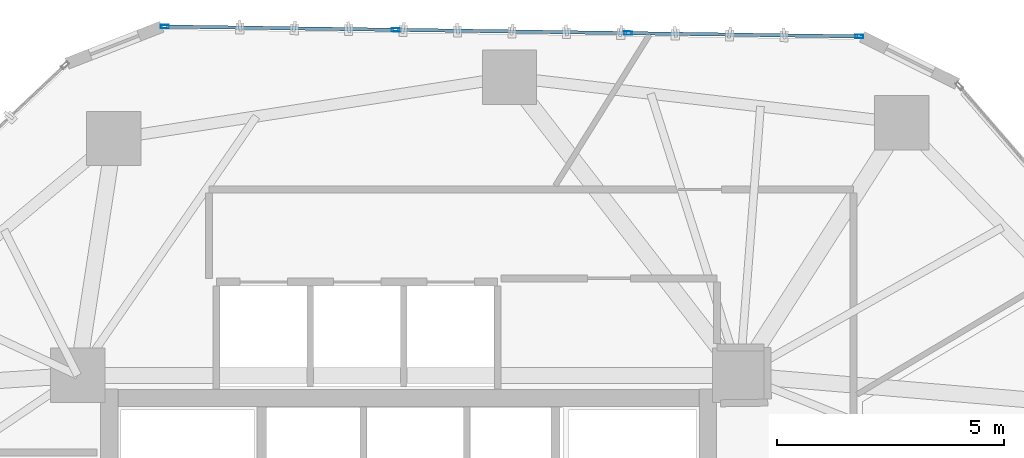
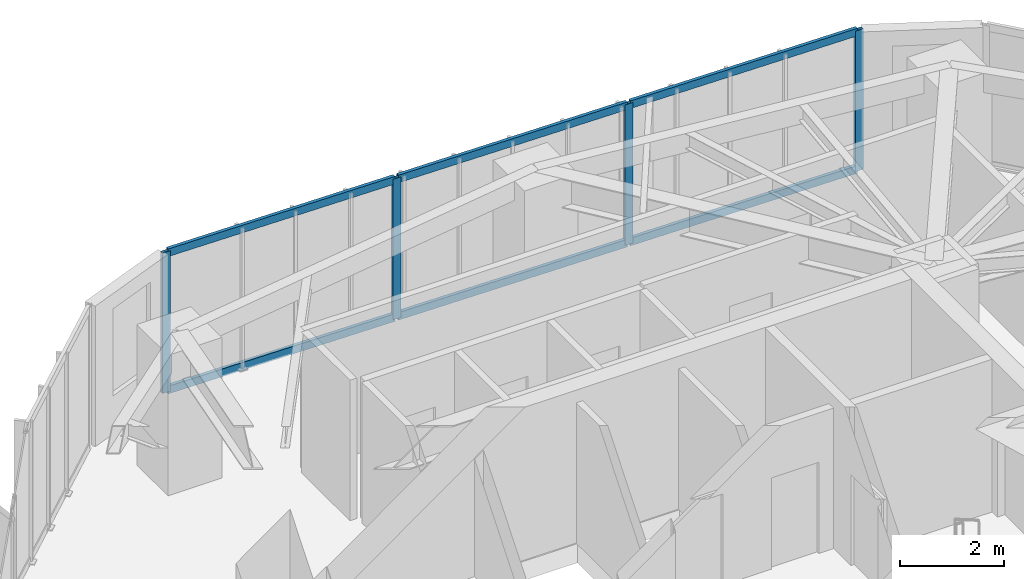
# One storey, part 16 of 22: 10 members, 1 element without a shape of its own.
"""IFC4 building model written with IfcOpenShell, lengths in metres."""

from ifc_helpers import new_model, si_unit, direction, frame, origin, origin_2d, place, context, subcontext, project, spatial, hollow_rectangle, extrude, source, transform, mapped, material, layer, layer_set, material_profile, profile_set, type_object, type_shapes, element, aggregate, save


model = new_model("IFC4")

# Units and contexts
model_context = context("Model", 3, precision=1e-05, world=origin(), true_north=direction((0.0, 1.0)))
body_context = subcontext(model_context, "Body", "Model", "MODEL_VIEW")
ifc_project = project(units=[si_unit("LENGTHUNIT", "METRE"), si_unit("AREAUNIT", "SQUARE_METRE"), si_unit("VOLUMEUNIT", "CUBIC_METRE"), si_unit("PLANEANGLEUNIT", "RADIAN"), si_unit("MASSUNIT", "GRAM", prefix="KILO")], contexts=[model_context])

# Site, building, storey
site_placement = place(None, origin())
site = spatial("IfcSite", under=ifc_project, at=site_placement, CompositionType="ELEMENT")
building_placement = place(site_placement, origin())
building = spatial("IfcBuilding", under=site, at=building_placement, Name="Talar Marvaseh", CompositionType="ELEMENT")
storey_placement = place(building_placement, frame((0.0, 0.0, 89.39990234375)))
storey = spatial("IfcBuildingStorey", under=building, at=storey_placement, Name="L22", CompositionType="ELEMENT", Elevation=89.39990234375)

# Curtain wall, members
ifc_material = material(Name="Architectural Aluminium", Category="aluminium")
ifc_layer = layer(ifc_material, 0.199951171875)
ifc_layer_set = layer_set([ifc_layer], Name="Architectural Aluminium")
curtain_wall_type = type_object("IfcCurtainWallType", Name="Unitised Acoustic Library Curtain Wall Z2", PredefinedType="NOTDEFINED", material=ifc_layer_set)
curtain_wall_placement = place(storey_placement, origin())
curtain_wall = element("IfcCurtainWall", 1, at=curtain_wall_placement, inside=storey, type_object=curtain_wall_type, Name="L22 Unitised Acoustic Library Curtain Wall Z2", PredefinedType="NOTDEFINED")
ifc_material_profile_1 = material_profile(ifc_material, hollow_rectangle(XDim=0.074951171875, YDim=0.179931640625, WallThickness=0.0048828125, at=origin_2d()), Name="RHS180x75x5")
ifc_profile_set_1 = profile_set([ifc_material_profile_1], Name="Architectural Aluminium")
member_type_1 = type_object("IfcMemberType", Name="Unitised Curtain Wall Standard Mullion RHS180x75x5", PredefinedType="MULLION", material=ifc_profile_set_1)
shared_shape_1 = source(origin(), body_context, "Body", "SweptSolid", [
    extrude(hollow_rectangle(XDim=0.074951171875, YDim=0.179931640625, WallThickness=0.0048828125, at=origin_2d()), origin(), (0.0, 0.0, 1.0), 3.31005859375),
])
type_shapes(member_type_1, [shared_shape_1])
member_1_placement = place(storey_placement, frame((20.61962890625, 44.5908203125, 0.0), z_axis=(0.0, 0.0, 1.0), x_axis=(0.014275347529, 0.999898102035, 0.0)))
member_1 = element("IfcMember", 2, at=member_1_placement, type_object=member_type_1, Name="CW-Z2 mullion 1", PredefinedType="MULLION", context=body_context, shape_type="MappedRepresentation", body=[
    mapped(shared_shape_1, transform((0.0, 0.0, 0.0), x_axis=(1.0, 0.0, 0.0), y_axis=(0.0, 1.0, 0.0), z_axis=(0.0, 0.0, 1.0), scale=1.0)),
])
member_2_placement = place(storey_placement, frame((25.711669921875, 44.51806640625, 0.0), z_axis=(0.0, 0.0, 1.0), x_axis=(0.014275347529, 0.999898102035, 0.0)))
member_2 = element("IfcMember", 3, at=member_2_placement, type_object=member_type_1, Name="CW-Z2 mullion 2", PredefinedType="MULLION", context=body_context, shape_type="MappedRepresentation", body=[
    mapped(shared_shape_1, transform((0.0, 0.0, 0.0), x_axis=(1.0, 0.0, 0.0), y_axis=(0.0, 1.0, 0.0), z_axis=(0.0, 0.0, 1.0), scale=1.0)),
])
member_3_placement = place(storey_placement, frame((30.84130859375, 44.44482421875, 0.0), z_axis=(0.0, 0.0, 1.0), x_axis=(0.014275347529, 0.999898102035, 0.0)))
member_3 = element("IfcMember", 4, at=member_3_placement, type_object=member_type_1, Name="CW-Z2 mullion 3", PredefinedType="MULLION", context=body_context, shape_type="MappedRepresentation", body=[
    mapped(shared_shape_1, transform((0.0, 0.0, 0.0), x_axis=(1.0, 0.0, 0.0), y_axis=(0.0, 1.0, 0.0), z_axis=(0.0, 0.0, 1.0), scale=1.0)),
])
member_4_placement = place(storey_placement, frame((35.933349609375, 44.3720703125, 0.0), z_axis=(0.0, 0.0, 1.0), x_axis=(0.014275347529, 0.999898102035, 0.0)))
member_4 = element("IfcMember", 5, at=member_4_placement, type_object=member_type_1, Name="CW-Z2 mullion 4", PredefinedType="MULLION", context=body_context, shape_type="MappedRepresentation", body=[
    mapped(shared_shape_1, transform((0.0, 0.0, 0.0), x_axis=(1.0, 0.0, 0.0), y_axis=(0.0, 1.0, 0.0), z_axis=(0.0, 0.0, 1.0), scale=1.0)),
])
ifc_material_profile_2 = material_profile(ifc_material, hollow_rectangle(XDim=0.074951171875, YDim=0.179931640625, WallThickness=0.0048828125, at=origin_2d()), Name="RHS180x75x5")
ifc_profile_set_2 = profile_set([ifc_material_profile_2], Name="Architectural Aluminium")
member_type_2 = type_object("IfcMemberType", Name="Unitised Curtain Wall Transom RHS180x75x5", PredefinedType="USERDEFINED", material=ifc_profile_set_2)
shared_shape_2 = source(origin(), body_context, "Body", "SweptSolid", [
    extrude(hollow_rectangle(XDim=0.074951171875, YDim=0.179931640625, WallThickness=0.0048828125, at=origin_2d()), origin(), (0.0, 0.0, 1.0), 5.017578125),
])
member_5_placement = place(storey_placement, frame((20.6572265625, 44.59033203125, 0.03759765625), z_axis=(0.999897676744, -0.014305105448, 0.0), x_axis=(0.014305105448, 0.999897676744, 0.0)))
member_5 = element("IfcMember", 6, at=member_5_placement, type_object=member_type_2, Name="CW-Z2 transom 1.1", ObjectType="TRANSOM", PredefinedType="USERDEFINED", context=body_context, shape_type="MappedRepresentation", body=[
    mapped(shared_shape_2, transform((0.0, 0.0, 0.0), x_axis=(1.0, 0.0, 0.0), y_axis=(0.0, 1.0, 0.0), z_axis=(0.0, 0.0, 1.0), scale=1.0)),
])
member_6_placement = place(storey_placement, frame((20.6572265625, 44.59033203125, 3.272705078125), z_axis=(0.999897676744, -0.014305105448, 0.0), x_axis=(0.014305105448, 0.999897676744, 0.0)))
member_6 = element("IfcMember", 7, at=member_6_placement, type_object=member_type_2, Name="CW-Z2 transom 1.2", ObjectType="TRANSOM", PredefinedType="USERDEFINED", context=body_context, shape_type="MappedRepresentation", body=[
    mapped(shared_shape_2, transform((0.0, 0.0, 0.0), x_axis=(1.0, 0.0, 0.0), y_axis=(0.0, 1.0, 0.0), z_axis=(0.0, 0.0, 1.0), scale=1.0)),
])
member_7_placement = place(storey_placement, frame((30.878662109375, 44.4443359375, 0.03759765625), z_axis=(0.999897676744, -0.014305105448, 0.0), x_axis=(0.014305105448, 0.999897676744, 0.0)))
member_7 = element("IfcMember", 8, at=member_7_placement, type_object=member_type_2, Name="CW-Z2 transom 3.1", ObjectType="TRANSOM", PredefinedType="USERDEFINED", context=body_context, shape_type="MappedRepresentation", body=[
    mapped(shared_shape_2, transform((0.0, 0.0, 0.0), x_axis=(1.0, 0.0, 0.0), y_axis=(0.0, 1.0, 0.0), z_axis=(0.0, 0.0, 1.0), scale=1.0)),
])
member_8_placement = place(storey_placement, frame((30.878662109375, 44.4443359375, 3.272705078125), z_axis=(0.999897676744, -0.014305105448, 0.0), x_axis=(0.014305105448, 0.999897676744, 0.0)))
member_8 = element("IfcMember", 9, at=member_8_placement, type_object=member_type_2, Name="CW-Z2 transom 3.2", ObjectType="TRANSOM", PredefinedType="USERDEFINED", context=body_context, shape_type="MappedRepresentation", body=[
    mapped(shared_shape_2, transform((0.0, 0.0, 0.0), x_axis=(1.0, 0.0, 0.0), y_axis=(0.0, 1.0, 0.0), z_axis=(0.0, 0.0, 1.0), scale=1.0)),
])
shared_shape_3 = source(origin(), body_context, "Body", "SweptSolid", [
    extrude(hollow_rectangle(XDim=0.074951171875, YDim=0.179931640625, WallThickness=0.0048828125, at=origin_2d()), origin(), (0.0, 0.0, 1.0), 5.054931640625),
])
type_shapes(member_type_2, [shared_shape_2, shared_shape_3])
member_9_placement = place(storey_placement, frame((25.749267578125, 44.517578125, 0.03759765625), z_axis=(0.999897807203, -0.014295983719, 0.0), x_axis=(0.014295983719, 0.999897807203, 0.0)))
member_9 = element("IfcMember", 10, at=member_9_placement, type_object=member_type_2, Name="CW-Z2 transom 2.1", ObjectType="TRANSOM", PredefinedType="USERDEFINED", context=body_context, shape_type="MappedRepresentation", body=[
    mapped(shared_shape_3, transform((0.0, 0.0, 0.0), x_axis=(1.0, 0.0, 0.0), y_axis=(0.0, 1.0, 0.0), z_axis=(0.0, 0.0, 1.0), scale=1.0)),
])
member_10_placement = place(storey_placement, frame((25.749267578125, 44.517578125, 3.272705078125), z_axis=(0.999897807203, -0.014295983719, 0.0), x_axis=(0.014295983719, 0.999897807203, 0.0)))
member_10 = element("IfcMember", 11, at=member_10_placement, type_object=member_type_2, Name="CW-Z2 transom 2.2", ObjectType="TRANSOM", PredefinedType="USERDEFINED", context=body_context, shape_type="MappedRepresentation", body=[
    mapped(shared_shape_3, transform((0.0, 0.0, 0.0), x_axis=(1.0, 0.0, 0.0), y_axis=(0.0, 1.0, 0.0), z_axis=(0.0, 0.0, 1.0), scale=1.0)),
])
aggregate(curtain_wall, [member_1, member_2, member_3, member_4, member_5, member_6, member_9, member_10, member_7, member_8])

save(model, "model.ifc")
